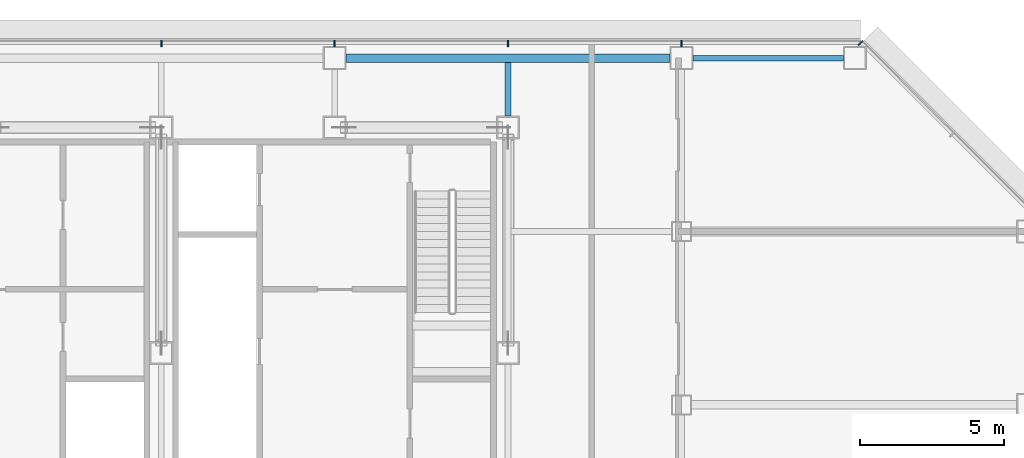
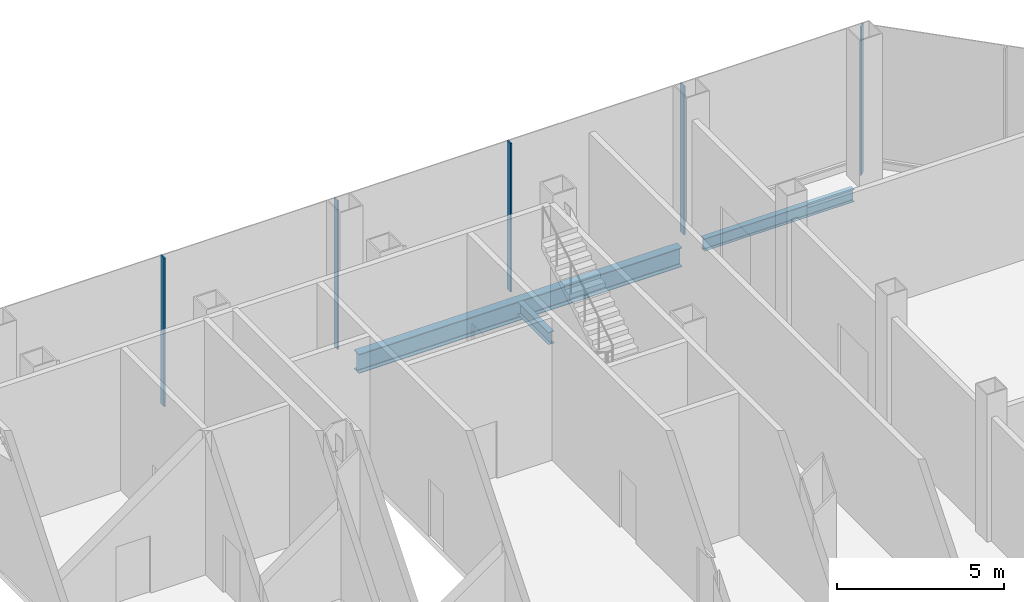
# One storey, part 11 of 23: 5 members, 3 beams, 2 elements without a shape of their own.
"""IFC4 building model written with IfcOpenShell, lengths in metres."""

from ifc_helpers import new_model, si_unit, direction, frame, origin, origin_2d, place, context, subcontext, project, spatial, rectangle, i_section, extrude, material, material_profile, profile_set, type_object, element, aggregate, save


model = new_model("IFC4")

# Units and contexts
model_context = context("Model", 3, precision=1e-05, world=origin(), true_north=direction((0.0, 1.0)))
body_context = subcontext(model_context, "Body", "Model", "MODEL_VIEW")
ifc_project = project(units=[si_unit("LENGTHUNIT", "METRE"), si_unit("AREAUNIT", "SQUARE_METRE"), si_unit("VOLUMEUNIT", "CUBIC_METRE"), si_unit("PLANEANGLEUNIT", "RADIAN"), si_unit("MASSUNIT", "GRAM", prefix="KILO")], contexts=[model_context])

# Site, building, storey
site_placement = place(None, origin())
site = spatial("IfcSite", under=ifc_project, at=site_placement, CompositionType="ELEMENT")
building_placement = place(site_placement, origin())
building = spatial("IfcBuilding", under=site, at=building_placement, Name="Sorahane Residences", CompositionType="ELEMENT")
storey_placement = place(building_placement, frame((0.0, 0.0, 114.199951171875)))
storey = spatial("IfcBuildingStorey", under=building, at=storey_placement, Name="L25", CompositionType="ELEMENT", Elevation=114.199951171875)

# Curtain wall, member
ifc_material_1 = material(Name="Dark low-e glass and black anodised aluminium", Category="aluminium")
curtain_wall_type = type_object("IfcCurtainWallType", Name="Curtain wall CW-4 Sky floor frameless wall", PredefinedType="NOTDEFINED", material=ifc_material_1)
curtain_wall_1_placement = place(storey_placement, origin())
curtain_wall_1 = element("IfcCurtainWall", 1, at=curtain_wall_1_placement, inside=storey, type_object=curtain_wall_type, Name="CW-4 curtain wall L25 NE1", PredefinedType="NOTDEFINED")
ifc_material_2 = material(Name="Black anodised aluminium", Category="aluminium")
ifc_material_profile_1 = material_profile(ifc_material_2, rectangle(XDim=0.219970703125, YDim=0.050048828125, at=origin_2d()), Name="Curtain wall mullion CW-4 black anodised aluminium 50x220")
ifc_profile_set_1 = profile_set([ifc_material_profile_1], Name="Black anodised aluminium")
member_type = type_object("IfcMemberType", Name="Curtain wall mullion CW-4 black anodised aluminium 50x220", PredefinedType="MULLION", material=ifc_profile_set_1)
member_1_placement = place(storey_placement, frame((54.20263671875, 48.518798828125, -0.219970703125), z_axis=(0.0, 0.0, 1.0), x_axis=(0.707106781187, 0.707106781187, 0.0)))
member_1 = element("IfcMember", 2, at=member_1_placement, type_object=member_type, Name="CW-4 mullion L25 NE1.3", PredefinedType="MULLION", context=body_context, shape_type="SweptSolid", body=[
    extrude(rectangle(XDim=0.219970703125, YDim=0.050048828125, at=origin_2d()), origin(), (0.0, 0.0, 1.0), 5.43994140625),
])
aggregate(curtain_wall_1, [member_1])

# Curtain wall, members
curtain_wall_2_placement = place(storey_placement, origin())
curtain_wall_2 = element("IfcCurtainWall", 3, at=curtain_wall_2_placement, inside=storey, type_object=curtain_wall_type, Name="CW-4 curtain wall L25 N1", PredefinedType="NOTDEFINED")
member_2_placement = place(storey_placement, frame((48.0, 48.510009765625, -0.219970703125), z_axis=(0.0, 0.0, 1.0), x_axis=(0.0, 1.0, 0.0)))
member_2 = element("IfcMember", 4, at=member_2_placement, type_object=member_type, Name="CW-4 mullion L25 N1.2", PredefinedType="MULLION", context=body_context, shape_type="SweptSolid", body=[
    extrude(rectangle(XDim=0.219970703125, YDim=0.050048828125, at=origin_2d()), origin(), (0.0, 0.0, 1.0), 5.43994140625),
])
member_3_placement = place(storey_placement, frame((42.0, 48.510009765625, -0.219970703125), z_axis=(0.0, 0.0, 1.0), x_axis=(0.0, 1.0, 0.0)))
member_3 = element("IfcMember", 5, at=member_3_placement, type_object=member_type, Name="CW-4 mullion L25 N1.3", PredefinedType="MULLION", context=body_context, shape_type="SweptSolid", body=[
    extrude(rectangle(XDim=0.219970703125, YDim=0.050048828125, at=origin_2d()), origin(), (0.0, 0.0, 1.0), 5.43994140625),
])
member_4_placement = place(storey_placement, frame((36.0, 48.510009765625, -0.219970703125), z_axis=(0.0, 0.0, 1.0), x_axis=(0.0, 1.0, 0.0)))
member_4 = element("IfcMember", 6, at=member_4_placement, type_object=member_type, Name="CW-4 mullion L25 N1.4", PredefinedType="MULLION", context=body_context, shape_type="SweptSolid", body=[
    extrude(rectangle(XDim=0.219970703125, YDim=0.050048828125, at=origin_2d()), origin(), (0.0, 0.0, 1.0), 5.43994140625),
])
member_5_placement = place(storey_placement, frame((30.0, 48.510009765625, -0.219970703125), z_axis=(0.0, 0.0, 1.0), x_axis=(0.0, 1.0, 0.0)))
member_5 = element("IfcMember", 7, at=member_5_placement, type_object=member_type, Name="CW-4 mullion L25 N1.5", PredefinedType="MULLION", context=body_context, shape_type="SweptSolid", body=[
    extrude(rectangle(XDim=0.219970703125, YDim=0.050048828125, at=origin_2d()), origin(), (0.0, 0.0, 1.0), 5.43994140625),
])
aggregate(curtain_wall_2, [member_2, member_3, member_4, member_5])

# Beams
ifc_material_3 = material(Name="Steel Q355B", Category="steel")
ifc_material_profile_2 = material_profile(ifc_material_3, i_section(OverallWidth=0.199951171875, OverallDepth=0.449951171875, WebThickness=0.009033203125, FlangeThickness=0.013916015625, FilletRadius=0.02001953125, at=origin_2d()), Name="HN 450x200x9x14")
ifc_profile_set_2 = profile_set([ifc_material_profile_2], Name="Steel Q355B")
beam_type_1 = type_object("IfcBeamType", Name="Steel floor beam HN 450x200x9x14 Q355B", PredefinedType="BEAM", material=ifc_profile_set_2)
beam_1_placement = place(storey_placement, frame((48.39990234375, 48.0, -0.445068359375), z_axis=(1.0, 0.0, 0.0), x_axis=(0.0, 1.0, 0.0)))
element("IfcBeam", 8, at=beam_1_placement, inside=storey, type_object=beam_type_1, Name="Beam L25 019", PredefinedType="BEAM", context=body_context, shape_type="SweptSolid", body=[
    extrude(i_section(OverallWidth=0.199951171875, OverallDepth=0.449951171875, WebThickness=0.009033203125, FlangeThickness=0.013916015625, FilletRadius=0.02001953125, at=origin_2d()), origin(), (0.0, 0.0, 1.0), 5.2001953125),
])
beam_2_placement = place(storey_placement, frame((42.0, 46.0, -0.445068359375), z_axis=(0.0, 1.0, 0.0), x_axis=(-1.0, 0.0, 0.0)))
element("IfcBeam", 9, at=beam_2_placement, inside=storey, type_object=beam_type_1, Name="Beam L25 057", PredefinedType="BEAM", context=body_context, shape_type="SweptSolid", body=[
    extrude(i_section(OverallWidth=0.199951171875, OverallDepth=0.449951171875, WebThickness=0.009033203125, FlangeThickness=0.013916015625, FilletRadius=0.02001953125, at=origin_2d()), origin(), (0.0, 0.0, 1.0), 1.85009765625),
])
ifc_material_4 = material(Name="Steel Q355B", Category="steel")
ifc_material_profile_3 = material_profile(ifc_material_4, i_section(OverallWidth=0.300048828125, OverallDepth=0.699951171875, WebThickness=0.012939453125, FlangeThickness=0.02392578125, FilletRadius=0.028076171875, at=origin_2d()), Name="HN 700x300x13x24")
ifc_profile_set_3 = profile_set([ifc_material_profile_3], Name="Steel Q355B")
beam_type_2 = type_object("IfcBeamType", Name="Steel floor beam HN 700x300x13x24 Q355B", PredefinedType="BEAM", material=ifc_profile_set_3)
beam_3_placement = place(storey_placement, frame((36.39990234375, 48.0, -0.570068359375), z_axis=(1.0, 0.0, 0.0), x_axis=(0.0, 1.0, 0.0)))
element("IfcBeam", 10, at=beam_3_placement, inside=storey, type_object=beam_type_2, Name="Beam L25 018", PredefinedType="BEAM", context=body_context, shape_type="SweptSolid", body=[
    extrude(i_section(OverallWidth=0.300048828125, OverallDepth=0.699951171875, WebThickness=0.012939453125, FlangeThickness=0.02392578125, FilletRadius=0.028076171875, at=origin_2d()), origin(), (0.0, 0.0, 1.0), 11.2001953125),
])

save(model, "model.ifc")
